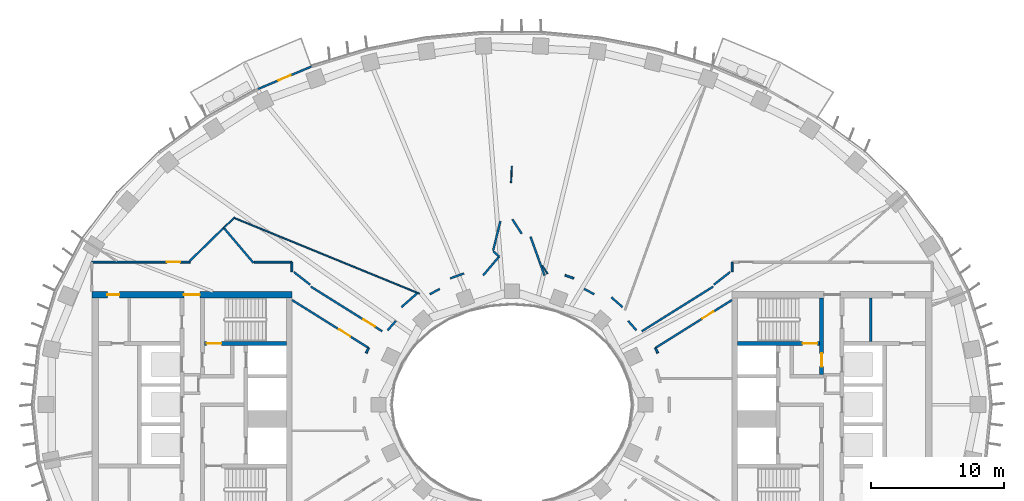
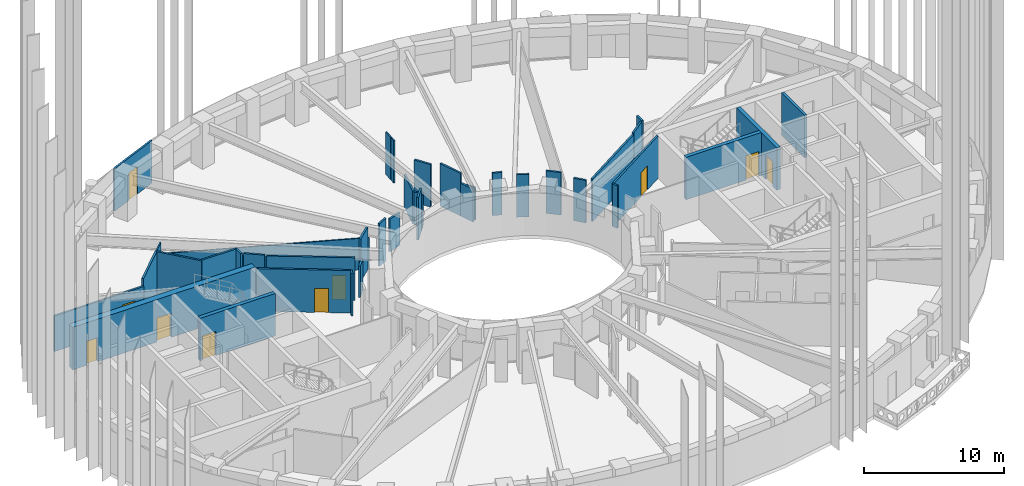
# One storey, part 6 of 19: 40 walls, 10 doors, 10 openings.
"""IFC4 building model written with IfcOpenShell, lengths in metres."""

from ifc_helpers import new_model, si_unit, direction, frame, frame_2d, origin, place, context, subcontext, project, spatial, rectangle, extrude, material, layer, layer_set, type_object, element, fill, save


model = new_model("IFC4")

# Units and contexts
model_context = context("Model", 3, precision=1e-05, world=origin(), true_north=direction((0.0, 1.0)))
body_context = subcontext(model_context, "Body", "Model", "MODEL_VIEW")
ifc_project = project(units=[si_unit("LENGTHUNIT", "METRE"), si_unit("AREAUNIT", "SQUARE_METRE"), si_unit("VOLUMEUNIT", "CUBIC_METRE"), si_unit("PLANEANGLEUNIT", "RADIAN"), si_unit("MASSUNIT", "GRAM", prefix="KILO")], contexts=[model_context])

# Site, building, storey
site_placement = place(None, origin())
site = spatial("IfcSite", under=ifc_project, at=site_placement, CompositionType="ELEMENT")
building_placement = place(site_placement, origin())
building = spatial("IfcBuilding", under=site, at=building_placement, Name="Noorbagh Ring Tower", CompositionType="ELEMENT")
storey_placement = place(building_placement, frame((0.0, 0.0, 146.0)))
storey = spatial("IfcBuildingStorey", under=building, at=storey_placement, Name="L33", CompositionType="ELEMENT", Elevation=146.0)

# Wall
ifc_material_1 = material(Name="Gypsum board on steel studs", Category="steel")
ifc_layer_1 = layer(ifc_material_1, 0.199951171875)
ifc_layer_set_1 = layer_set([ifc_layer_1], Name="Gypsum board on steel studs")
wall_type_1 = type_object("IfcWallType", Name="CORE-PARTITION-200", PredefinedType="PARTITIONING", material=ifc_layer_set_1)
wall_1_placement = place(storey_placement, frame((26.89990234375, 4.75, 0.0), z_axis=(0.0, 0.0, 1.0), x_axis=(0.0, 1.0, 0.0)))
element("IfcWall", 1, at=wall_1_placement, inside=storey, type_object=wall_type_1, Name="Core partition E", PredefinedType="PARTITIONING", context=body_context, shape_type="SweptSolid", body=[
    extrude(rectangle(XDim=3.25, YDim=0.199951171875, at=frame_2d((1.625, 0.0))), origin(), (0.0, 0.0, 1.0), 3.699951171875),
])

# Wall, opening, door
ifc_material_2 = material(Name="Concrete C60/75", Category="concrete")
ifc_layer_2 = layer(ifc_material_2, 0.300048828125)
ifc_layer_set_2 = layer_set([ifc_layer_2], Name="Concrete C60/75")
wall_type_2 = type_object("IfcWallType", Name="CORE-WALL-300-C60-75-EI240", PredefinedType="SHEAR", material=ifc_layer_set_2)
wall_2_placement = place(storey_placement, frame((-16.89990234375, 4.60009765625, 0.0), z_axis=(0.0, 0.0, 1.0), x_axis=(-1.0, 0.0, 0.0)))
wall_2 = element("IfcWall", 2, at=wall_2_placement, inside=storey, type_object=wall_type_2, Name="Core wall W", PredefinedType="SHEAR", context=body_context, shape_type="SweptSolid", body=[
    extrude(rectangle(XDim=6.18017578125, YDim=0.300048828125, at=frame_2d((3.090087890625, 0.0))), origin(), (0.0, 0.0, 1.0), 3.699951171875),
])
opening_1_placement = place(wall_2_placement, frame((4.89990234375, 0.0, 0.0)))
opening_1 = element("IfcOpeningElement", 3, at=opening_1_placement, cuts=wall_2, Name="Opening L33-CW06", PredefinedType="OPENING", context=body_context, shape_type="SweptSolid", body=[
    extrude(rectangle(XDim=1.10009765625, YDim=2.10009765625, at=frame_2d((0.550048828125, 1.050048828125))), frame((0.0, 0.16015625, 0.0), z_axis=(0.0, -1.0, 0.0), x_axis=(1.0, 0.0, 0.0)), (0.0, 0.0, 1.0), 0.320068359375),
])
ifc_material_3 = material(Name="Steel door leaf", Category="steel")
door_type_1 = type_object("IfcDoorType", Name="CORE-DOOR-DSTAIR", OperationType="SINGLE_SWING_LEFT", PredefinedType="DOOR", material=ifc_material_3)
door_1_placement = place(opening_1_placement, origin())
door_1 = element("IfcDoor", 4, at=door_1_placement, inside=storey, type_object=door_type_1, Name="Stair door ST1 L33-CW06", OperationType="SINGLE_SWING_RIGHT", OverallHeight=2.10009765625, OverallWidth=1.10009765625, PredefinedType="DOOR", context=body_context, shape_type="SweptSolid", body=[
    extrude(rectangle(XDim=1.10009765625, YDim=2.10009765625, at=frame_2d((0.550048828125, 1.050048828125))), frame((0.0, 0.02490234375, 0.0), z_axis=(0.0, -1.0, 0.0), x_axis=(1.0, 0.0, 0.0)), (0.0, 0.0, 1.0), 0.050048828125),
])
fill(opening_1, door_1)

wall_3_placement = place(storey_placement, frame((23.22998046875, 2.25, 0.0), z_axis=(0.0, 0.0, 1.0), x_axis=(0.0, 1.0, 0.0)))
wall_3 = element("IfcWall", 5, at=wall_3_placement, inside=storey, type_object=wall_type_2, Name="Core wall E", PredefinedType="SHEAR", context=body_context, shape_type="SweptSolid", body=[
    extrude(rectangle(XDim=5.75, YDim=0.300048828125, at=frame_2d((2.875, 0.0))), origin(), (0.0, 0.0, 1.0), 3.699951171875),
])
opening_2_placement = place(wall_3_placement, frame((0.60009765625, 0.0, 0.0)))
opening_2 = element("IfcOpeningElement", 6, at=opening_2_placement, cuts=wall_3, Name="Opening L33-CE10", PredefinedType="OPENING", context=body_context, shape_type="SweptSolid", body=[
    extrude(rectangle(XDim=1.0, YDim=2.10009765625, at=frame_2d((0.5, 1.050048828125))), frame((0.0, 0.16015625, 0.0), z_axis=(0.0, -1.0, 0.0), x_axis=(1.0, 0.0, 0.0)), (0.0, 0.0, 1.0), 0.320068359375),
])
ifc_material_4 = material(Name="Steel door leaf", Category="steel")
door_type_2 = type_object("IfcDoorType", Name="CORE-DOOR-DVEST", OperationType="SINGLE_SWING_LEFT", PredefinedType="DOOR", material=ifc_material_4)
door_2_placement = place(opening_2_placement, origin())
door_2 = element("IfcDoor", 7, at=door_2_placement, inside=storey, type_object=door_type_2, Name="Stair vestibule door L33-CE10", OperationType="SINGLE_SWING_RIGHT", OverallHeight=2.10009765625, OverallWidth=1.0, PredefinedType="DOOR", context=body_context, shape_type="SweptSolid", body=[
    extrude(rectangle(XDim=1.0, YDim=2.10009765625, at=frame_2d((0.5, 1.050048828125))), frame((0.0, 0.02490234375, 0.0), z_axis=(0.0, -1.0, 0.0), x_axis=(1.0, 0.0, 0.0)), (0.0, 0.0, 1.0), 0.050048828125),
])
fill(opening_2, door_2)

wall_4_placement = place(storey_placement, frame((16.89990234375, 4.60009765625, 0.0), z_axis=(0.0, 0.0, 1.0), x_axis=(1.0, 0.0, 0.0)))
wall_4 = element("IfcWall", 8, at=wall_4_placement, inside=storey, type_object=wall_type_2, Name="Core wall E", PredefinedType="SHEAR", context=body_context, shape_type="SweptSolid", body=[
    extrude(rectangle(XDim=6.18017578125, YDim=0.300048828125, at=frame_2d((3.090087890625, 0.0))), origin(), (0.0, 0.0, 1.0), 3.699951171875),
])
opening_3_placement = place(wall_4_placement, frame((4.89990234375, 0.0, 0.0)))
opening_3 = element("IfcOpeningElement", 9, at=opening_3_placement, cuts=wall_4, Name="Opening L33-CE07", PredefinedType="OPENING", context=body_context, shape_type="SweptSolid", body=[
    extrude(rectangle(XDim=1.10009765625, YDim=2.10009765625, at=frame_2d((0.550048828125, 1.050048828125))), frame((0.0, 0.16015625, 0.0), z_axis=(0.0, -1.0, 0.0), x_axis=(1.0, 0.0, 0.0)), (0.0, 0.0, 1.0), 0.320068359375),
])
door_3_placement = place(opening_3_placement, origin())
door_3 = element("IfcDoor", 10, at=door_3_placement, inside=storey, type_object=door_type_1, Name="Stair door ST3 L33-CE07", OperationType="SINGLE_SWING_LEFT", OverallHeight=2.10009765625, OverallWidth=1.10009765625, PredefinedType="DOOR", context=body_context, shape_type="SweptSolid", body=[
    extrude(rectangle(XDim=1.10009765625, YDim=2.10009765625, at=frame_2d((0.550048828125, 1.050048828125))), frame((0.0, 0.02490234375, 0.0), z_axis=(0.0, -1.0, 0.0), x_axis=(1.0, 0.0, 0.0)), (0.0, 0.0, 1.0), 0.050048828125),
])
fill(opening_3, door_3)

# Wall, openings, doors
ifc_material_5 = material(Name="Concrete C60/75", Category="concrete")
ifc_layer_3 = layer(ifc_material_5, 0.5)
ifc_layer_set_3 = layer_set([ifc_layer_3], Name="Concrete C60/75")
wall_type_3 = type_object("IfcWallType", Name="CORE-WALL-500-C60-75-EI240", PredefinedType="SHEAR", material=ifc_layer_set_3)
wall_5_placement = place(storey_placement, frame((-16.5, 8.25, 0.0), z_axis=(0.0, 0.0, 1.0), x_axis=(-1.0, 0.0, 0.0)))
wall_5 = element("IfcWall", 11, at=wall_5_placement, inside=storey, type_object=wall_type_3, Name="Core wall W", PredefinedType="SHEAR", context=body_context, shape_type="SweptSolid", body=[
    extrude(rectangle(XDim=15.0, YDim=0.5, at=frame_2d((7.5, 0.0))), origin(), (0.0, 0.0, 1.0), 3.699951171875),
])
opening_4_placement = place(wall_5_placement, frame((6.89990234375, 0.0, 0.0)))
opening_4 = element("IfcOpeningElement", 12, at=opening_4_placement, cuts=wall_5, Name="Opening L33-CW10", PredefinedType="OPENING", context=body_context, shape_type="SweptSolid", body=[
    extrude(rectangle(XDim=1.199951171875, YDim=2.10009765625, at=frame_2d((0.60009765625, 1.050048828125))), frame((0.0, 0.260009765625, 0.0), z_axis=(0.0, -1.0, 0.0), x_axis=(1.0, 0.0, 0.0)), (0.0, 0.0, 1.0), 0.52001953125),
])
opening_5_placement = place(wall_5_placement, frame((12.949951171875, 0.0, 0.0)))
opening_5 = element("IfcOpeningElement", 13, at=opening_5_placement, cuts=wall_5, Name="Opening L33-CW13", PredefinedType="OPENING", context=body_context, shape_type="SweptSolid", body=[
    extrude(rectangle(XDim=0.89990234375, YDim=2.10009765625, at=frame_2d((0.449951171875, 1.050048828125))), frame((0.0, 0.260009765625, 0.0), z_axis=(0.0, -1.0, 0.0), x_axis=(1.0, 0.0, 0.0)), (0.0, 0.0, 1.0), 0.52001953125),
])
ifc_material_6 = material(Name="Steel door leaf", Category="steel")
door_type_3 = type_object("IfcDoorType", Name="CORE-DOOR-DROOM", OperationType="SINGLE_SWING_LEFT", PredefinedType="DOOR", material=ifc_material_6)
door_4_placement = place(opening_5_placement, origin())
door_4 = element("IfcDoor", 14, at=door_4_placement, inside=storey, type_object=door_type_3, Name="Core room door L33-CW13", OperationType="SINGLE_SWING_RIGHT", OverallHeight=2.10009765625, OverallWidth=0.89990234375, PredefinedType="DOOR", context=body_context, shape_type="SweptSolid", body=[
    extrude(rectangle(XDim=0.89990234375, YDim=2.10009765625, at=frame_2d((0.449951171875, 1.050048828125))), frame((0.0, 0.02490234375, 0.0), z_axis=(0.0, -1.0, 0.0), x_axis=(1.0, 0.0, 0.0)), (0.0, 0.0, 1.0), 0.050048828125),
])
fill(opening_5, door_4)
ifc_material_7 = material(Name="Steel door leaf", Category="steel")
door_type_4 = type_object("IfcDoorType", Name="CORE-DOOR-PORT", OperationType="DOUBLE_DOOR_DOUBLE_SWING", PredefinedType="DOOR", material=ifc_material_7)
door_5_placement = place(opening_4_placement, origin())
door_5 = element("IfcDoor", 15, at=door_5_placement, inside=storey, type_object=door_type_4, Name="Core entrance door L33-CW10", OperationType="DOUBLE_DOOR_DOUBLE_SWING", OverallHeight=2.10009765625, OverallWidth=1.199951171875, PredefinedType="DOOR", context=body_context, shape_type="SweptSolid", body=[
    extrude(rectangle(XDim=1.199951171875, YDim=2.10009765625, at=frame_2d((0.60009765625, 1.050048828125))), frame((0.0, 0.02490234375, 0.0), z_axis=(0.0, -1.0, 0.0), x_axis=(1.0, 0.0, 0.0)), (0.0, 0.0, 1.0), 0.050048828125),
])
fill(opening_4, door_5)

# Wall, opening, door
ifc_material_8 = material(Name="Gypsum board on steel studs", Category="steel")
ifc_layer_4 = layer(ifc_material_8, 0.14990234375)
ifc_layer_set_4 = layer_set([ifc_layer_4], Name="Gypsum board on steel studs")
wall_type_4 = type_object("IfcWallType", Name="CORRIDOR PARTITION 150 EI 30", PredefinedType="PARTITIONING", material=ifc_layer_set_4)
wall_6_placement = place(storey_placement, frame((-31.5, 10.699951171875, 0.0), z_axis=(0.0, 0.0, 1.0), x_axis=(1.0, 0.0, 0.0)))
wall_6 = element("IfcWall", 16, at=wall_6_placement, inside=storey, type_object=wall_type_4, Name="L33/wall/P07", PredefinedType="PARTITIONING", context=body_context, shape_type="SweptSolid", body=[
    extrude(rectangle(XDim=7.361083984375, YDim=0.14990234375, at=frame_2d((3.6806640625, 0.0))), origin(), (0.0, 0.0, 1.0), 3.10009765625),
])
opening_6_placement = place(wall_6_placement, frame((5.60400390625, 0.0, 0.0)))
opening_6 = element("IfcOpeningElement", 17, at=opening_6_placement, cuts=wall_6, Name="Opening D1", PredefinedType="OPENING", context=body_context, shape_type="SweptSolid", body=[
    extrude(rectangle(XDim=1.0, YDim=2.10009765625, at=frame_2d((0.5, 1.050048828125))), frame((0.0, 0.0849609375, 0.0), z_axis=(0.0, -1.0, 0.0), x_axis=(1.0, 0.0, 0.0)), (0.0, 0.0, 1.0), 0.169921875),
])
ifc_material_9 = material(Name="Timber, painted", Category="wood")
door_type_5 = type_object("IfcDoorType", Name="DOOR 1000 X 2100 FD30", OperationType="SINGLE_SWING_LEFT", PredefinedType="DOOR", material=ifc_material_9)
door_6_placement = place(opening_6_placement, origin())
door_6 = element("IfcDoor", 18, at=door_6_placement, inside=storey, type_object=door_type_5, Name="L33-D09", OperationType="SINGLE_SWING_LEFT", OverallHeight=2.10009765625, OverallWidth=1.0, PredefinedType="DOOR", context=body_context, shape_type="SweptSolid", body=[
    extrude(rectangle(XDim=1.0, YDim=2.10009765625, at=frame_2d((0.5, 1.050048828125))), frame((0.0, 0.02490234375, 0.0), z_axis=(0.0, -1.0, 0.0), x_axis=(1.0, 0.0, 0.0)), (0.0, 0.0, 1.0), 0.050048828125),
])
fill(opening_6, door_6)

# Walls
wall_7_placement = place(storey_placement, frame((-24.166015625, 10.778076171875, 0.0), z_axis=(0.0, 0.0, 1.0), x_axis=(0.715930732039, 0.698171316313, 0.0)))
element("IfcWall", 19, at=wall_7_placement, inside=storey, type_object=wall_type_4, Name="L33/wall/P09", PredefinedType="PARTITIONING", context=body_context, shape_type="SweptSolid", body=[
    extrude(rectangle(XDim=3.560546875, YDim=0.14990234375, at=frame_2d((1.7802734375, 0.0))), origin(), (0.0, 0.0, 1.0), 3.699951171875),
])
wall_8_placement = place(storey_placement, frame((-21.616943359375, 13.263916015625, 0.0), z_axis=(0.0, 0.0, 1.0), x_axis=(0.646521695402, -0.762895600574, 0.0)))
element("IfcWall", 20, at=wall_8_placement, inside=storey, type_object=wall_type_4, Name="L33/wall/P13", PredefinedType="PARTITIONING", context=body_context, shape_type="SweptSolid", body=[
    extrude(rectangle(XDim=3.455322265625, YDim=0.14990234375, at=frame_2d((1.7275390625, 0.0))), origin(), (0.0, 0.0, 1.0), 3.699951171875),
])
wall_9_placement = place(storey_placement, frame((-19.346923828125, 10.699951171875, 0.0), z_axis=(0.0, 0.0, 1.0), x_axis=(1.0, 0.0, 0.0)))
element("IfcWall", 21, at=wall_9_placement, inside=storey, type_object=wall_type_4, Name="L33/wall/P17", PredefinedType="PARTITIONING", context=body_context, shape_type="SweptSolid", body=[
    extrude(rectangle(XDim=2.846923828125, YDim=0.14990234375, at=frame_2d((1.42333984375, 0.0))), origin(), (0.0, 0.0, 1.0), 3.699951171875),
])
wall_10_placement = place(storey_placement, frame((-16.5, 9.964111328125, 0.0), z_axis=(0.0, 0.0, 1.0), x_axis=(0.0, 1.0, 0.0)))
element("IfcWall", 22, at=wall_10_placement, inside=storey, type_object=wall_type_4, Name="L33/wall/P20", PredefinedType="PARTITIONING", context=body_context, shape_type="SweptSolid", body=[
    extrude(rectangle(XDim=0.73583984375, YDim=0.14990234375, at=frame_2d((0.367919921875, 0.0))), origin(), (0.0, 0.0, 1.0), 3.699951171875),
])

# Wall, opening, door
wall_11_placement = place(storey_placement, frame((-16.5, 7.85107421875, 0.0), z_axis=(0.0, 0.0, 1.0), x_axis=(0.847690706888, -0.530490777917, 0.0)))
wall_11 = element("IfcWall", 23, at=wall_11_placement, inside=storey, type_object=wall_type_4, Name="L33/wall/P22", PredefinedType="PARTITIONING", context=body_context, shape_type="SweptSolid", body=[
    extrude(rectangle(XDim=6.78076171875, YDim=0.14990234375, at=frame_2d((3.390380859375, 0.0))), origin(), (0.0, 0.0, 1.0), 3.699951171875),
])
opening_7_placement = place(wall_11_placement, frame((4.1513671875, 0.0, 0.0)))
opening_7 = element("IfcOpeningElement", 24, at=opening_7_placement, cuts=wall_11, Name="Opening D1", PredefinedType="OPENING", context=body_context, shape_type="SweptSolid", body=[
    extrude(rectangle(XDim=1.0, YDim=2.10009765625, at=frame_2d((0.5, 1.050048828125))), frame((0.0, 0.0849609375, 0.0), z_axis=(0.0, -1.0, 0.0), x_axis=(1.0, 0.0, 0.0)), (0.0, 0.0, 1.0), 0.169921875),
])
door_7_placement = place(opening_7_placement, origin())
door_7 = element("IfcDoor", 25, at=door_7_placement, inside=storey, type_object=door_type_5, Name="L33-D16", OperationType="SINGLE_SWING_RIGHT", OverallHeight=2.10009765625, OverallWidth=1.0, PredefinedType="DOOR", context=body_context, shape_type="SweptSolid", body=[
    extrude(rectangle(XDim=1.0, YDim=2.10009765625, at=frame_2d((0.5, 1.050048828125))), frame((0.0, 0.02490234375, 0.0), z_axis=(0.0, -1.0, 0.0), x_axis=(1.0, 0.0, 0.0)), (0.0, 0.0, 1.0), 0.050048828125),
])
fill(opening_7, door_7)

wall_12_placement = place(storey_placement, frame((-15.089111328125, 8.85595703125, 0.0), z_axis=(0.0, 0.0, 1.0), x_axis=(0.847611500167, -0.53061732424, 0.0)))
wall_12 = element("IfcWall", 26, at=wall_12_placement, inside=storey, type_object=wall_type_4, Name="L33/wall/P24", PredefinedType="PARTITIONING", context=body_context, shape_type="SweptSolid", body=[
    extrude(rectangle(XDim=6.3154296875, YDim=0.14990234375, at=frame_2d((3.15771484375, 0.0))), origin(), (0.0, 0.0, 1.0), 3.699951171875),
])
opening_8_placement = place(wall_12_placement, frame((4.665283203125, 0.0, 0.0)))
opening_8 = element("IfcOpeningElement", 27, at=opening_8_placement, cuts=wall_12, Name="Opening D1", PredefinedType="OPENING", context=body_context, shape_type="SweptSolid", body=[
    extrude(rectangle(XDim=1.0, YDim=2.10009765625, at=frame_2d((0.5, 1.050048828125))), frame((0.0, 0.0849609375, 0.0), z_axis=(0.0, -1.0, 0.0), x_axis=(1.0, 0.0, 0.0)), (0.0, 0.0, 1.0), 0.169921875),
])
door_8_placement = place(opening_8_placement, origin())
door_8 = element("IfcDoor", 28, at=door_8_placement, inside=storey, type_object=door_type_5, Name="L33-D11", OperationType="SINGLE_SWING_LEFT", OverallHeight=2.10009765625, OverallWidth=1.0, PredefinedType="DOOR", context=body_context, shape_type="SweptSolid", body=[
    extrude(rectangle(XDim=1.0, YDim=2.10009765625, at=frame_2d((0.5, 1.050048828125))), frame((0.0, 0.02490234375, 0.0), z_axis=(0.0, -1.0, 0.0), x_axis=(1.0, 0.0, 0.0)), (0.0, 0.0, 1.0), 0.050048828125),
])
fill(opening_8, door_8)

# Walls
wall_13_placement = place(storey_placement, frame((-10.93798828125, 3.863037109375, 0.0), z_axis=(0.0, 0.0, 1.0), x_axis=(0.429758433873, 0.90294390109, 0.0)))
element("IfcWall", 29, at=wall_13_placement, inside=storey, type_object=wall_type_4, Name="L33/wall/P29", PredefinedType="PARTITIONING", context=body_context, shape_type="SweptSolid", body=[
    extrude(rectangle(XDim=0.432861328125, YDim=0.14990234375, at=frame_2d((0.21630859375, 0.0))), origin(), (0.0, 0.0, 1.0), 3.699951171875),
])
wall_14_placement = place(storey_placement, frame((-9.324951171875, 5.576904296875, 0.0), z_axis=(0.0, 0.0, 1.0), x_axis=(0.656365478363, 0.754443078578, 0.0)))
element("IfcWall", 30, at=wall_14_placement, inside=storey, type_object=wall_type_4, Name="L33/wall/P31", PredefinedType="PARTITIONING", context=body_context, shape_type="SweptSolid", body=[
    extrude(rectangle(XDim=0.9384765625, YDim=0.14990234375, at=frame_2d((0.46923828125, 0.0))), origin(), (0.0, 0.0, 1.0), 2.75),
])
wall_15_placement = place(storey_placement, frame((-8.283935546875, 7.322021484375, 0.0), z_axis=(0.0, 0.0, 1.0), x_axis=(0.750666784408, 0.660680996235, 0.0)))
element("IfcWall", 31, at=wall_15_placement, inside=storey, type_object=wall_type_4, Name="L33/wall/P33", PredefinedType="PARTITIONING", context=body_context, shape_type="SweptSolid", body=[
    extrude(rectangle(XDim=1.5546875, YDim=0.14990234375, at=frame_2d((0.77734375, 0.0))), origin(), (0.0, 0.0, 1.0), 3.699951171875),
])
wall_16_placement = place(storey_placement, frame((-6.16796875, 8.287109375, 0.0), z_axis=(0.0, 0.0, 1.0), x_axis=(0.889398654128, 0.457132403178, 0.0)))
element("IfcWall", 32, at=wall_16_placement, inside=storey, type_object=wall_type_4, Name="L33/wall/P35", PredefinedType="PARTITIONING", context=body_context, shape_type="SweptSolid", body=[
    extrude(rectangle(XDim=0.844482421875, YDim=0.14990234375, at=frame_2d((0.42236328125, 0.0))), origin(), (0.0, 0.0, 1.0), 3.699951171875),
])
wall_17_placement = place(storey_placement, frame((-4.635986328125, 9.468017578125, 0.0), z_axis=(0.0, 0.0, 1.0), x_axis=(0.939117611585, 0.343595855054, 0.0)))
element("IfcWall", 33, at=wall_17_placement, inside=storey, type_object=wall_type_4, Name="L33/wall/P37", PredefinedType="PARTITIONING", context=body_context, shape_type="SweptSolid", body=[
    extrude(rectangle(XDim=1.099853515625, YDim=0.14990234375, at=frame_2d((0.5498046875, 0.0))), origin(), (0.0, 0.0, 1.0), 2.85009765625),
])
wall_18_placement = place(storey_placement, frame((-2.160888671875, 9.698974609375, 0.0), z_axis=(0.0, 0.0, 1.0), x_axis=(0.646114520359, 0.763240477557, 0.0)))
element("IfcWall", 34, at=wall_18_placement, inside=storey, type_object=wall_type_4, Name="L33/wall/P39", PredefinedType="PARTITIONING", context=body_context, shape_type="SweptSolid", body=[
    extrude(rectangle(XDim=1.206787109375, YDim=0.14990234375, at=frame_2d((0.603515625, 0.0))), origin(), (0.0, 0.0, 1.0), 3.699951171875),
])
wall_19_placement = place(storey_placement, frame((-1.4130859375, 11.571044921875, 0.0), z_axis=(0.0, 0.0, 1.0), x_axis=(0.239729563679, 0.970839706799, 0.0)))
element("IfcWall", 35, at=wall_19_placement, inside=storey, type_object=wall_type_4, Name="L33/wall/P41", PredefinedType="PARTITIONING", context=body_context, shape_type="SweptSolid", body=[
    extrude(rectangle(XDim=2.252685546875, YDim=0.14990234375, at=frame_2d((1.12646484375, 0.0))), origin(), (0.0, 0.0, 1.0), 2.85009765625),
])
wall_20_placement = place(storey_placement, frame((-1.409912109375, 11.507080078125, 0.0), z_axis=(0.0, 0.0, 1.0), x_axis=(0.748448660452, -0.663192734179, 0.0)))
element("IfcWall", 36, at=wall_20_placement, inside=storey, type_object=wall_type_4, Name="L33/wall/P43", PredefinedType="PARTITIONING", context=body_context, shape_type="SweptSolid", body=[
    extrude(rectangle(XDim=0.595703125, YDim=0.14990234375, at=frame_2d((0.2978515625, 0.0))), origin(), (0.0, 0.0, 1.0), 2.85009765625),
])
wall_21_placement = place(storey_placement, frame((-1.3701171875, 10.633056640625, 0.0), z_axis=(0.0, 0.0, 1.0), x_axis=(0.64658689517, 0.762840341746, 0.0)))
element("IfcWall", 37, at=wall_21_placement, inside=storey, type_object=wall_type_4, Name="L33/wall/P44", PredefinedType="PARTITIONING", context=body_context, shape_type="SweptSolid", body=[
    extrude(rectangle(XDim=0.6279296875, YDim=0.14990234375, at=frame_2d((0.31396484375, 0.0))), origin(), (0.0, 0.0, 1.0), 2.85009765625),
])
wall_22_placement = place(storey_placement, frame((0.02392578125, 13.909912109375, 0.0), z_axis=(0.0, 0.0, 1.0), x_axis=(0.542092475383, -0.840318837188, 0.0)))
element("IfcWall", 38, at=wall_22_placement, inside=storey, type_object=wall_type_4, Name="L33/wall/P50", PredefinedType="PARTITIONING", context=body_context, shape_type="SweptSolid", body=[
    extrude(rectangle(XDim=1.29345703125, YDim=0.14990234375, at=frame_2d((0.646728515625, 0.0))), origin(), (0.0, 0.0, 1.0), 3.699951171875),
])
wall_23_placement = place(storey_placement, frame((1.388916015625, 12.59912109375, 0.0), z_axis=(0.0, 0.0, 1.0), x_axis=(0.338850133174, -0.940840362255, 0.0)))
element("IfcWall", 39, at=wall_23_placement, inside=storey, type_object=wall_type_4, Name="L33/wall/P51", PredefinedType="PARTITIONING", context=body_context, shape_type="SweptSolid", body=[
    extrude(rectangle(XDim=1.918701171875, YDim=0.14990234375, at=frame_2d((0.95947265625, 0.0))), origin(), (0.0, 0.0, 1.0), 3.699951171875),
])
wall_24_placement = place(storey_placement, frame((2.0439453125, 10.780029296875, 0.0), z_axis=(0.0, 0.0, 1.0), x_axis=(0.338399406306, -0.941002572691, 0.0)))
element("IfcWall", 40, at=wall_24_placement, inside=storey, type_object=wall_type_4, Name="L33/wall/P55", PredefinedType="PARTITIONING", context=body_context, shape_type="SweptSolid", body=[
    extrude(rectangle(XDim=1.16162109375, YDim=0.14990234375, at=frame_2d((0.580810546875, 0.0))), origin(), (0.0, 0.0, 1.0), 2.85009765625),
])
wall_25_placement = place(storey_placement, frame((3.98291015625, 9.70703125, 0.0), z_axis=(0.0, 0.0, 1.0), x_axis=(0.939084167001, -0.343687252147, 0.0)))
element("IfcWall", 41, at=wall_25_placement, inside=storey, type_object=wall_type_4, Name="L33/wall/P58", PredefinedType="PARTITIONING", context=body_context, shape_type="SweptSolid", body=[
    extrude(rectangle(XDim=0.695556640625, YDim=0.14990234375, at=frame_2d((0.34765625, 0.0))), origin(), (0.0, 0.0, 1.0), 3.699951171875),
])
wall_26_placement = place(storey_placement, frame((5.39599609375, 8.68408203125, 0.0), z_axis=(0.0, 0.0, 1.0), x_axis=(0.889307410814, -0.45730988298, 0.0)))
element("IfcWall", 42, at=wall_26_placement, inside=storey, type_object=wall_type_4, Name="L33/wall/P59", PredefinedType="PARTITIONING", context=body_context, shape_type="SweptSolid", body=[
    extrude(rectangle(XDim=0.8681640625, YDim=0.14990234375, at=frame_2d((0.43408203125, 0.0))), origin(), (0.0, 0.0, 1.0), 3.699951171875),
])
wall_27_placement = place(storey_placement, frame((7.4580078125, 8.049072265625, 0.0), z_axis=(0.0, 0.0, 1.0), x_axis=(0.75060787095, -0.660747927782, 0.0)))
element("IfcWall", 43, at=wall_27_placement, inside=storey, type_object=wall_type_4, Name="L33/wall/P62", PredefinedType="PARTITIONING", context=body_context, shape_type="SweptSolid", body=[
    extrude(rectangle(XDim=1.100341796875, YDim=0.14990234375, at=frame_2d((0.55029296875, 0.0))), origin(), (0.0, 0.0, 1.0), 3.699951171875),
])
wall_28_placement = place(storey_placement, frame((8.708984375, 6.284912109375, 0.0), z_axis=(0.0, 0.0, 1.0), x_axis=(0.656365478363, -0.754443078578, 0.0)))
element("IfcWall", 44, at=wall_28_placement, inside=storey, type_object=wall_type_4, Name="L33/wall/P66", PredefinedType="PARTITIONING", context=body_context, shape_type="SweptSolid", body=[
    extrude(rectangle(XDim=0.9384765625, YDim=0.14990234375, at=frame_2d((0.46923828125, 0.0))), origin(), (0.0, 0.0, 1.0), 3.699951171875),
])
wall_29_placement = place(storey_placement, frame((9.736083984375, 5.5048828125, 0.0), z_axis=(0.0, 0.0, 1.0), x_axis=(0.847611500167, 0.53061732424, 0.0)))
element("IfcWall", 45, at=wall_29_placement, inside=storey, type_object=wall_type_4, Name="L33/wall/P68", PredefinedType="PARTITIONING", context=body_context, shape_type="SweptSolid", body=[
    extrude(rectangle(XDim=6.3154296875, YDim=0.14990234375, at=frame_2d((3.15771484375, 0.0))), origin(), (0.0, 0.0, 1.0), 3.699951171875),
])
wall_30_placement = place(storey_placement, frame((10.751953125, 4.25390625, 0.0), z_axis=(0.0, 0.0, 1.0), x_axis=(0.429758433873, -0.90294390109, 0.0)))
element("IfcWall", 46, at=wall_30_placement, inside=storey, type_object=wall_type_4, Name="L33/wall/P73", PredefinedType="PARTITIONING", context=body_context, shape_type="SweptSolid", body=[
    extrude(rectangle(XDim=0.432861328125, YDim=0.14990234375, at=frame_2d((0.21630859375, 0.0))), origin(), (0.0, 0.0, 1.0), 3.699951171875),
])

# Wall, opening, door
wall_31_placement = place(storey_placement, frame((10.751953125, 4.25390625, 0.0), z_axis=(0.0, 0.0, 1.0), x_axis=(0.847690706888, 0.530490777917, 0.0)))
wall_31 = element("IfcWall", 47, at=wall_31_placement, inside=storey, type_object=wall_type_4, Name="L33/wall/P74", PredefinedType="PARTITIONING", context=body_context, shape_type="SweptSolid", body=[
    extrude(rectangle(XDim=6.78076171875, YDim=0.14990234375, at=frame_2d((3.390380859375, 0.0))), origin(), (0.0, 0.0, 1.0), 3.699951171875),
])
opening_9_placement = place(wall_31_placement, frame((4.14990234375, 0.0, 0.0)))
opening_9 = element("IfcOpeningElement", 48, at=opening_9_placement, cuts=wall_31, Name="Opening D1", PredefinedType="OPENING", context=body_context, shape_type="SweptSolid", body=[
    extrude(rectangle(XDim=1.0, YDim=2.10009765625, at=frame_2d((0.5, 1.050048828125))), frame((0.0, 0.0849609375, 0.0), z_axis=(0.0, -1.0, 0.0), x_axis=(1.0, 0.0, 0.0)), (0.0, 0.0, 1.0), 0.169921875),
])
door_9_placement = place(opening_9_placement, origin())
door_9 = element("IfcDoor", 49, at=door_9_placement, inside=storey, type_object=door_type_5, Name="L33-D18", OperationType="SINGLE_SWING_RIGHT", OverallHeight=2.10009765625, OverallWidth=1.0, PredefinedType="DOOR", context=body_context, shape_type="SweptSolid", body=[
    extrude(rectangle(XDim=1.0, YDim=2.10009765625, at=frame_2d((0.5, 1.050048828125))), frame((0.0, 0.02490234375, 0.0), z_axis=(0.0, -1.0, 0.0), x_axis=(1.0, 0.0, 0.0)), (0.0, 0.0, 1.0), 0.050048828125),
])
fill(opening_9, door_9)

# Walls
wall_32_placement = place(storey_placement, frame((16.5, 9.964111328125, 0.0), z_axis=(0.0, 0.0, 1.0), x_axis=(0.0, 1.0, 0.0)))
element("IfcWall", 50, at=wall_32_placement, inside=storey, type_object=wall_type_4, Name="L33/wall/P84", PredefinedType="PARTITIONING", context=body_context, shape_type="SweptSolid", body=[
    extrude(rectangle(XDim=0.73583984375, YDim=0.14990234375, at=frame_2d((0.367919921875, 0.0))), origin(), (0.0, 0.0, 1.0), 3.699951171875),
])
for number, where, z_axis, x_axis, name in (
    (51, (-16.35205078125, 9.94189453125, 0.0), (0.0, 0.0, 1.0), (0.788950226826, -0.614457109643, 0.0), "L33/wall/P96"),
    (52, (15.138916015625, 8.9970703125, 0.0), (0.0, 0.0, 1.0), (0.788950226826, 0.614457109643, 0.0), "L33/wall/P98"),
):
    element("IfcWall", number, at=place(storey_placement, frame(where, z_axis=z_axis, x_axis=x_axis)), inside=storey, type_object=wall_type_4, Name=name, PredefinedType="PARTITIONING", context=body_context, shape_type="SweptSolid", body=[
        extrude(rectangle(XDim=1.53759765625, YDim=0.14990234375, at=frame_2d((0.768798828125, 0.0))), origin(), (0.0, 0.0, 1.0), 3.699951171875),
    ])

# Wall, opening, door
ifc_material_10 = material(Name="Insulated aluminium clad panel", Category="aluminium")
ifc_layer_5 = layer(ifc_material_10, 0.14990234375)
ifc_layer_set_5 = layer_set([ifc_layer_5], Name="Insulated aluminium clad panel")
wall_type_5 = type_object("IfcWallType", Name="ENV-WALL-DOOR", PredefinedType="STANDARD", material=ifc_layer_set_5)
wall_33_placement = place(storey_placement, frame((-15.017822265625, 25.368896484375, 0.0), z_axis=(0.0, 0.0, 1.0), x_axis=(-0.921816985161, -0.387625393736, 0.0)))
wall_33 = element("IfcWall", 53, at=wall_33_placement, inside=storey, type_object=wall_type_5, Name="Balcony door wall chord 16", PredefinedType="STANDARD", context=body_context, shape_type="SweptSolid", body=[
    extrude(rectangle(XDim=4.42578125, YDim=0.14990234375, at=frame_2d((2.212890625, 0.0))), origin(), (0.0, 0.0, 1.0), 3.699951171875),
])
opening_10_placement = place(wall_33_placement, frame((1.712890625, 0.0, 0.0)))
opening_10 = element("IfcOpeningElement", 54, at=opening_10_placement, cuts=wall_33, Name="Opening D-BL", PredefinedType="OPENING", context=body_context, shape_type="SweptSolid", body=[
    extrude(rectangle(XDim=1.0, YDim=2.39990234375, at=frame_2d((0.5, 1.199951171875))), frame((0.0, 0.0849609375, 0.0), z_axis=(0.0, -1.0, 0.0), x_axis=(1.0, 0.0, 0.0)), (0.0, 0.0, 1.0), 0.169921875),
])
ifc_material_11 = material(Name="Aluminium and glass", Category="aluminium")
door_type_6 = type_object("IfcDoorType", Name="ENV-DOOR-BALCONY", OperationType="SINGLE_SWING_LEFT", PredefinedType="DOOR", material=ifc_material_11)
door_10_placement = place(opening_10_placement, origin())
door_10 = element("IfcDoor", 55, at=door_10_placement, inside=storey, type_object=door_type_6, Name="Balcony door chord 16", OperationType="SINGLE_SWING_RIGHT", OverallHeight=2.39990234375, OverallWidth=1.0, PredefinedType="DOOR", context=body_context, shape_type="SweptSolid", body=[
    extrude(rectangle(XDim=1.0, YDim=2.39990234375, at=frame_2d((0.5, 1.199951171875))), frame((0.0, 0.02490234375, 0.0), z_axis=(0.0, -1.0, 0.0), x_axis=(1.0, 0.0, 0.0)), (0.0, 0.0, 1.0), 0.050048828125),
])
fill(opening_10, door_10)

# Walls
ifc_material_12 = material(Name="Gypsum board on steel studs", Category="steel")
ifc_layer_6 = layer(ifc_material_12, 0.10009765625)
ifc_layer_set_6 = layer_set([ifc_layer_6], Name="Gypsum board on steel studs")
wall_type_6 = type_object("IfcWallType", Name="PARTITION 100 GYPSUM", PredefinedType="PARTITIONING", material=ifc_layer_set_6)
wall_34_placement = place(storey_placement, frame((-21.616943359375, 13.263916015625, 0.0), z_axis=(0.0, 0.0, 1.0), x_axis=(0.715466412744, 0.698647129985, 0.0)))
element("IfcWall", 56, at=wall_34_placement, inside=storey, type_object=wall_type_6, Name="L33/wall/P12", PredefinedType="PARTITIONING", context=body_context, shape_type="SweptSolid", body=[
    extrude(rectangle(XDim=1.13232421875, YDim=0.10009765625, at=frame_2d((0.566162109375, 0.0))), origin(), (0.0, 0.0, 1.0), 3.699951171875),
])
wall_35_placement = place(storey_placement, frame((-20.7958984375, 13.99609375, 0.0), z_axis=(0.0, 0.0, 1.0), x_axis=(0.925477336125, -0.378802983514, 0.0)))
element("IfcWall", 57, at=wall_35_placement, inside=storey, type_object=wall_type_6, Name="L33/wall/P15", PredefinedType="PARTITIONING", context=body_context, shape_type="SweptSolid", body=[
    extrude(rectangle(XDim=14.973876953125, YDim=0.10009765625, at=frame_2d((7.48681640625, 0.0))), origin(), (0.0, 0.0, 1.0), 2.75),
])
wall_36_placement = place(storey_placement, frame((-0.069091796875, 16.657958984375, 0.0), z_axis=(0.0, 0.0, 1.0), x_axis=(0.047263912187, 0.998882436829, 0.0)))
element("IfcWall", 58, at=wall_36_placement, inside=storey, type_object=wall_type_6, Name="L33/wall/P46", PredefinedType="PARTITIONING", context=body_context, shape_type="SweptSolid", body=[
    extrude(rectangle(XDim=0.423583984375, YDim=0.10009765625, at=frame_2d((0.2119140625, 0.0))), origin(), (0.0, 0.0, 1.0), 3.699951171875),
])
wall_37_placement = place(storey_placement, frame((-0.048095703125, 17.10791015625, 0.0), z_axis=(0.0, 0.0, 1.0), x_axis=(0.047402165034, 0.998875885558, 0.0)))
element("IfcWall", 59, at=wall_37_placement, inside=storey, type_object=wall_type_6, Name="L33/wall/P48", PredefinedType="PARTITIONING", context=body_context, shape_type="SweptSolid", body=[
    extrude(rectangle(XDim=0.782958984375, YDim=0.10009765625, at=frame_2d((0.3916015625, 0.0))), origin(), (0.0, 0.0, 1.0), 3.699951171875),
])
wall_38_placement = place(storey_placement, frame((2.27197265625, 10.427001953125, 0.0), z_axis=(0.0, 0.0, 1.0), x_axis=(0.542357038302, -0.840148107779, 0.0)))
element("IfcWall", 60, at=wall_38_placement, inside=storey, type_object=wall_type_6, Name="L33/wall/P56", PredefinedType="PARTITIONING", context=body_context, shape_type="SweptSolid", body=[
    extrude(rectangle(XDim=0.724853515625, YDim=0.10009765625, at=frame_2d((0.3623046875, 0.0))), origin(), (0.0, 0.0, 1.0), 2.85009765625),
])

save(model, "model.ifc")
